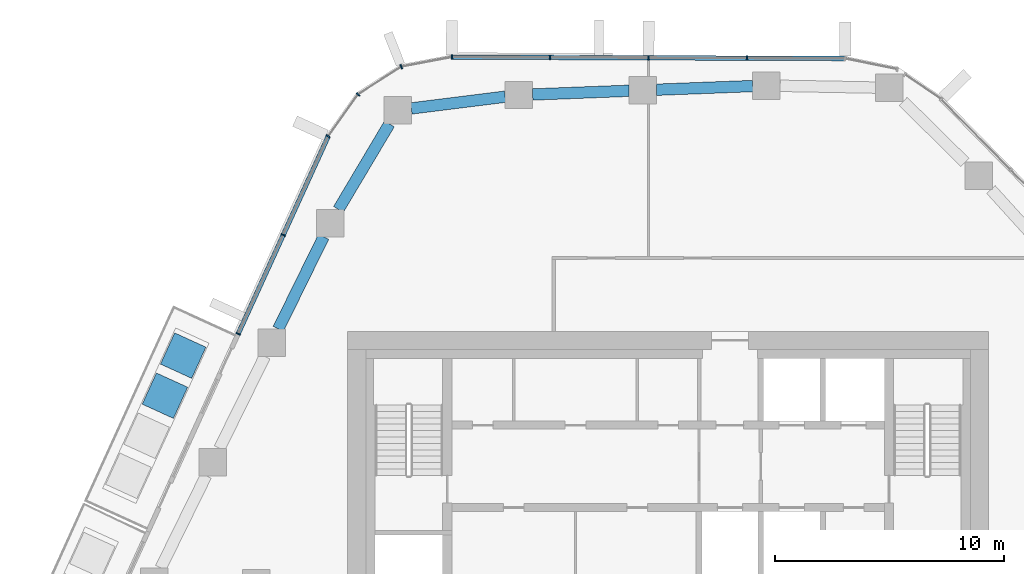
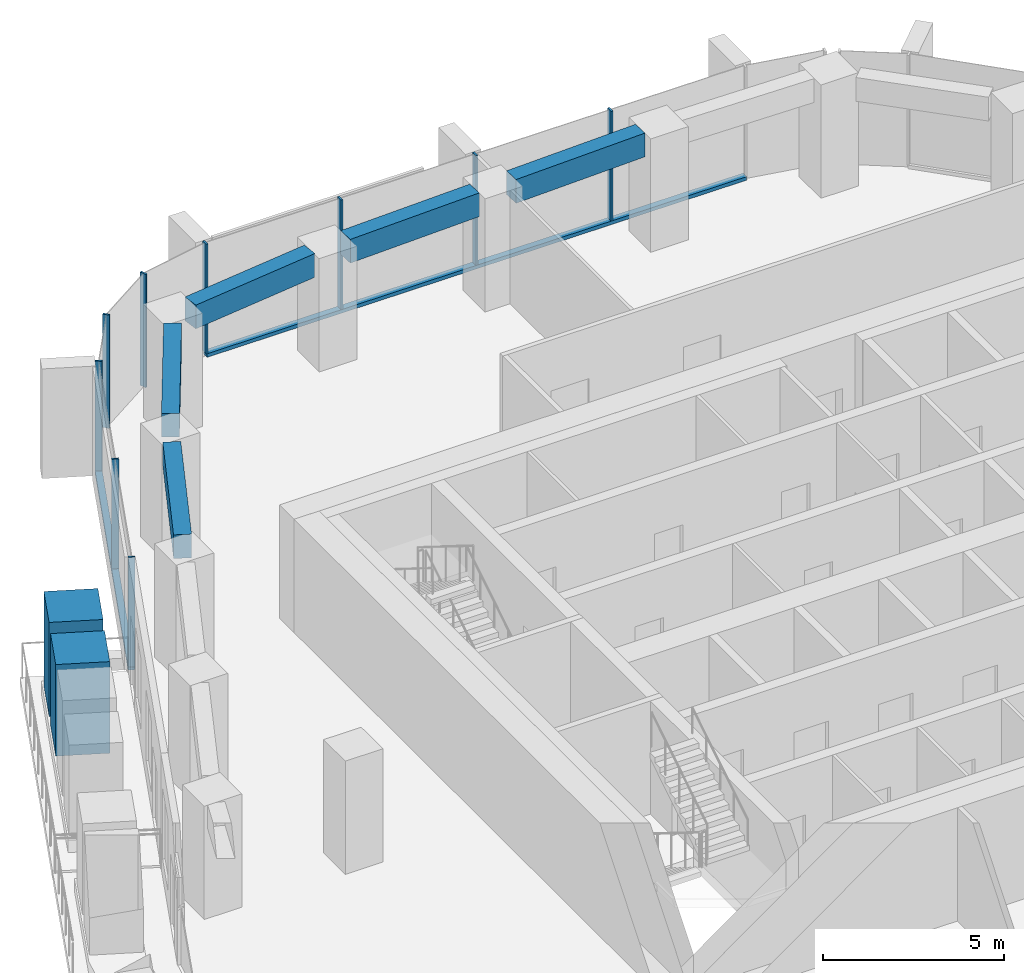
# One storey, part 5 of 18: 13 members, 5 beams, 3 elements without a shape of their own.
"""IFC4 building model written with IfcOpenShell, lengths in metres."""

from ifc_helpers import new_model, si_unit, direction, frame, origin, origin_2d, place, context, subcontext, project, spatial, rectangle, extrude, material, layer, layer_set, material_profile, profile_set, type_object, element, aggregate, save


model = new_model("IFC4")

# Units and contexts
model_context = context("Model", 3, precision=1e-05, world=origin(), true_north=direction((0.0, 1.0)))
body_context = subcontext(model_context, "Body", "Model", "MODEL_VIEW")
ifc_project = project(units=[si_unit("LENGTHUNIT", "METRE"), si_unit("AREAUNIT", "SQUARE_METRE"), si_unit("VOLUMEUNIT", "CUBIC_METRE"), si_unit("PLANEANGLEUNIT", "RADIAN"), si_unit("MASSUNIT", "GRAM", prefix="KILO")], contexts=[model_context])

# Site, building, storey
site_placement = place(None, origin())
site = spatial("IfcSite", under=ifc_project, at=site_placement, CompositionType="ELEMENT")
building_placement = place(site_placement, origin())
building = spatial("IfcBuilding", under=site, at=building_placement, Name="Dongbaek Canopy Tower", CompositionType="ELEMENT")
storey_placement = place(building_placement, frame((0.0, 0.0, 203.0)))
storey = spatial("IfcBuildingStorey", under=building, at=storey_placement, Name="L42", CompositionType="ELEMENT", Elevation=203.0)

# Curtain wall, members
ifc_material_1 = material(Name="Aluminium 6063-T6 pale anodised", Category="aluminium")
ifc_layer = layer(ifc_material_1, 0.199951171875)
ifc_layer_set = layer_set([ifc_layer], Name="CW-1 unitised tower curtain wall")
curtain_wall_type = type_object("IfcCurtainWallType", Name="CW-1 unitised tower curtain wall", PredefinedType="NOTDEFINED", material=ifc_layer_set)
curtain_wall_1_placement = place(storey_placement, origin())
curtain_wall_1 = element("IfcCurtainWall", 1, at=curtain_wall_1_placement, inside=storey, type_object=curtain_wall_type, Name="CW-1 curtain wall F1.1", PredefinedType="NOTDEFINED")
ifc_material_2 = material(Name="Aluminium 6063-T6 pale anodised", Category="aluminium")
ifc_material_profile_1 = material_profile(ifc_material_2, rectangle(XDim=0.199951171875, YDim=0.06005859375, at=origin_2d()), Name="CW-1 mullion 60 x 200")
ifc_profile_set_1 = profile_set([ifc_material_profile_1], Name="Aluminium 6063-T6 pale anodised")
member_type_1 = type_object("IfcMemberType", Name="CW-1 mullion 60 x 200", PredefinedType="MULLION", material=ifc_profile_set_1)
member_1_placement = place(storey_placement, frame((3.4384765625, 22.9326171875, 0.1201171875), z_axis=(0.0, 0.0, 1.0), x_axis=(0.003675442583, 0.999993245538, 0.0)))
member_1 = element("IfcMember", 2, at=member_1_placement, type_object=member_type_1, Name="CW-1 mullion F1.1.2", PredefinedType="MULLION", context=body_context, shape_type="SweptSolid", body=[
    extrude(rectangle(XDim=0.199951171875, YDim=0.06005859375, at=origin_2d()), origin(), (0.0, 0.0, 1.0), 3.699951171875),
])
member_2_placement = place(storey_placement, frame((-0.86083984375, 22.948486328125, 0.1201171875), z_axis=(0.0, 0.0, 1.0), x_axis=(0.003675442583, 0.999993245538, 0.0)))
member_2 = element("IfcMember", 3, at=member_2_placement, type_object=member_type_1, Name="CW-1 mullion F1.1.3", PredefinedType="MULLION", context=body_context, shape_type="SweptSolid", body=[
    extrude(rectangle(XDim=0.199951171875, YDim=0.06005859375, at=origin_2d()), origin(), (0.0, 0.0, 1.0), 3.699951171875),
])
member_3_placement = place(storey_placement, frame((-5.16015625, 22.96435546875, 0.1201171875), z_axis=(0.0, 0.0, 1.0), x_axis=(0.003675442583, 0.999993245538, 0.0)))
member_3 = element("IfcMember", 4, at=member_3_placement, type_object=member_type_1, Name="CW-1 mullion F1.1.4", PredefinedType="MULLION", context=body_context, shape_type="SweptSolid", body=[
    extrude(rectangle(XDim=0.199951171875, YDim=0.06005859375, at=origin_2d()), origin(), (0.0, 0.0, 1.0), 3.699951171875),
])
member_4_placement = place(storey_placement, frame((-9.44970703125, 22.97998046875, 0.1201171875), z_axis=(0.0, 0.0, 1.0), x_axis=(0.003675442583, 0.999993245538, 0.0)))
member_4 = element("IfcMember", 5, at=member_4_placement, type_object=member_type_1, Name="CW-1 mullion F1.1.5", PredefinedType="MULLION", context=body_context, shape_type="SweptSolid", body=[
    extrude(rectangle(XDim=0.199951171875, YDim=0.06005859375, at=origin_2d()), origin(), (0.0, 0.0, 1.0), 3.699951171875),
])

curtain_wall_2_placement = place(storey_placement, origin())
curtain_wall_2 = element("IfcCurtainWall", 6, at=curtain_wall_2_placement, inside=storey, type_object=curtain_wall_type, Name="CW-1 curtain wall K2.1", PredefinedType="NOTDEFINED")
member_5_placement = place(storey_placement, frame((-11.660888671875, 22.560546875, 0.0), z_axis=(0.0, 0.0, 1.0), x_axis=(-0.369611132815, 0.929186531596, 0.0)))
member_5 = element("IfcMember", 7, at=member_5_placement, type_object=member_type_1, Name="CW-1 mullion K2.1.2", PredefinedType="MULLION", context=body_context, shape_type="SweptSolid", body=[
    extrude(rectangle(XDim=0.199951171875, YDim=0.06005859375, at=origin_2d()), origin(), (0.0, 0.0, 1.0), 3.820068359375),
])
member_6_placement = place(storey_placement, frame((-13.5478515625, 21.351806640625, 0.0), z_axis=(0.0, 0.0, 1.0), x_axis=(-0.689541954214, 0.724245741015, 0.0)))
member_6 = element("IfcMember", 8, at=member_6_placement, type_object=member_type_1, Name="CW-1 mullion K2.1.3", PredefinedType="MULLION", context=body_context, shape_type="SweptSolid", body=[
    extrude(rectangle(XDim=0.199951171875, YDim=0.06005859375, at=origin_2d()), origin(), (0.0, 0.0, 1.0), 3.820068359375),
])
member_7_placement = place(storey_placement, frame((-14.853515625, 19.5185546875, 0.0), z_axis=(0.0, 0.0, 1.0), x_axis=(-0.814571085376, 0.580063743798, 0.0)))
member_7 = element("IfcMember", 9, at=member_7_placement, type_object=member_type_1, Name="CW-1 mullion K2.1.4", PredefinedType="MULLION", context=body_context, shape_type="SweptSolid", body=[
    extrude(rectangle(XDim=0.199951171875, YDim=0.06005859375, at=origin_2d()), origin(), (0.0, 0.0, 1.0), 3.820068359375),
])
aggregate(curtain_wall_2, [member_5, member_6, member_7])

curtain_wall_3_placement = place(storey_placement, origin())
curtain_wall_3 = element("IfcCurtainWall", 10, at=curtain_wall_3_placement, inside=storey, type_object=curtain_wall_type, Name="CW-1 curtain wall F2.1", PredefinedType="NOTDEFINED")
member_8_placement = place(storey_placement, frame((-16.818603515625, 15.207275390625, 0.1201171875), z_axis=(0.0, 0.0, 1.0), x_axis=(-0.909932941374, 0.414755400449, 0.0)))
member_8 = element("IfcMember", 11, at=member_8_placement, type_object=member_type_1, Name="CW-1 mullion F2.1.2", PredefinedType="MULLION", context=body_context, shape_type="SweptSolid", body=[
    extrude(rectangle(XDim=0.199951171875, YDim=0.06005859375, at=origin_2d()), origin(), (0.0, 0.0, 1.0), 3.699951171875),
])
member_9_placement = place(storey_placement, frame((-18.78759765625, 10.88720703125, 0.1201171875), z_axis=(0.0, 0.0, 1.0), x_axis=(-0.909932941374, 0.414755400449, 0.0)))
member_9 = element("IfcMember", 12, at=member_9_placement, type_object=member_type_1, Name="CW-1 mullion F2.1.3", PredefinedType="MULLION", context=body_context, shape_type="SweptSolid", body=[
    extrude(rectangle(XDim=0.199951171875, YDim=0.06005859375, at=origin_2d()), origin(), (0.0, 0.0, 1.0), 3.699951171875),
])

# Member
ifc_material_3 = material(Name="Aluminium 6063-T6 pale anodised", Category="aluminium")
ifc_material_profile_2 = material_profile(ifc_material_3, rectangle(XDim=0.199951171875, YDim=0.1201171875, at=origin_2d()), Name="CW-1 transom 120 x 200")
ifc_profile_set_2 = profile_set([ifc_material_profile_2], Name="Aluminium 6063-T6 pale anodised")
member_type_2 = type_object("IfcMemberType", Name="CW-1 transom 120 x 200", PredefinedType="USERDEFINED", material=ifc_profile_set_2)
member_10_placement = place(storey_placement, frame((7.727783203125, 22.9169921875, 0.06005859375), z_axis=(-0.99999327696, 0.003666883632, 0.0), x_axis=(-0.003666883632, -0.99999327696, 0.0)))
member_10 = element("IfcMember", 13, at=member_10_placement, type_object=member_type_2, Name="CW-1 transom F1.1.1", ObjectType="TRANSOM", PredefinedType="USERDEFINED", context=body_context, shape_type="SweptSolid", body=[
    extrude(rectangle(XDim=0.199951171875, YDim=0.1201171875, at=origin_2d()), origin(), (0.0, 0.0, 1.0), 17.177490234375),
])

aggregate(curtain_wall_1, [member_1, member_2, member_3, member_4, member_10])

member_11_placement = place(storey_placement, frame((-14.853515625, 19.5185546875, 0.06005859375), z_axis=(-0.414741278018, -0.90993937837, 0.0), x_axis=(0.90993937837, -0.414741278018, 0.0)))
member_11 = element("IfcMember", 14, at=member_11_placement, type_object=member_type_2, Name="CW-1 transom F2.1.1", ObjectType="TRANSOM", PredefinedType="USERDEFINED", context=body_context, shape_type="SweptSolid", body=[
    extrude(rectangle(XDim=0.199951171875, YDim=0.1201171875, at=origin_2d()), origin(), (0.0, 0.0, 1.0), 9.485595703125),
])

aggregate(curtain_wall_3, [member_8, member_9, member_11])

# Beams
ifc_material_4 = material(Name="Concrete C70", Category="concrete")
ifc_material_profile_3 = material_profile(ifc_material_4, rectangle(XDim=0.5, YDim=0.800048828125, at=origin_2d()), Name="RC EDGE BEAM 500x800 C70")
ifc_profile_set_3 = profile_set([ifc_material_profile_3], Name="Concrete C70")
beam_type = type_object("IfcBeamType", Name="RC EDGE BEAM 500x800 C70", PredefinedType="BEAM", material=ifc_profile_set_3)
beam_1_placement = place(storey_placement, frame((-17.032958984375, 11.10498046875, 3.419921875), z_axis=(0.441228982876, 0.89739455351, 0.0), x_axis=(-0.89739455351, 0.441228982876, 0.0)))
element("IfcBeam", 15, at=beam_1_placement, inside=storey, type_object=beam_type, Name="EDGEBEAM:L42:11", PredefinedType="BEAM", context=body_context, shape_type="SweptSolid", body=[
    extrude(rectangle(XDim=0.5, YDim=0.800048828125, at=origin_2d()), origin(), (0.0, 0.0, 1.0), 4.478515625),
])
beam_2_placement = place(storey_placement, frame((-14.40478515625, 16.323974609375, 3.419921875), z_axis=(0.51151247975, 0.859275848061, 0.0), x_axis=(-0.859275848061, 0.51151247975, 0.0)))
element("IfcBeam", 16, at=beam_2_placement, inside=storey, type_object=beam_type, Name="EDGEBEAM:L42:12", PredefinedType="BEAM", context=body_context, shape_type="SweptSolid", body=[
    extrude(rectangle(XDim=0.5, YDim=0.800048828125, at=origin_2d()), origin(), (0.0, 0.0, 1.0), 4.34912109375),
])
beam_3_placement = place(storey_placement, frame((-11.222900390625, 20.73583984375, 3.419921875), z_axis=(0.992289687294, 0.123940213368, 0.0), x_axis=(-0.123940213368, 0.992289687294, 0.0)))
element("IfcBeam", 17, at=beam_3_placement, inside=storey, type_object=beam_type, Name="EDGEBEAM:L42:13", PredefinedType="BEAM", context=body_context, shape_type="SweptSolid", body=[
    extrude(rectangle(XDim=0.5, YDim=0.800048828125, at=origin_2d()), origin(), (0.0, 0.0, 1.0), 4.1328125),
])
beam_4_placement = place(storey_placement, frame((-5.922119140625, 21.345947265625, 3.419921875), z_axis=(0.999268092878, 0.038252824158, 0.0), x_axis=(-0.038252824158, 0.999268092878, 0.0)))
element("IfcBeam", 18, at=beam_4_placement, inside=storey, type_object=beam_type, Name="EDGEBEAM:L42:14", PredefinedType="BEAM", context=body_context, shape_type="SweptSolid", body=[
    extrude(rectangle(XDim=0.5, YDim=0.800048828125, at=origin_2d()), origin(), (0.0, 0.0, 1.0), 4.21240234375),
])
beam_5_placement = place(storey_placement, frame((-0.512939453125, 21.552978515625, 3.419921875), z_axis=(0.999276508887, 0.0380323387, 0.0), x_axis=(-0.0380323387, 0.999276508887, 0.0)))
element("IfcBeam", 19, at=beam_5_placement, inside=storey, type_object=beam_type, Name="EDGEBEAM:L42:15", PredefinedType="BEAM", context=body_context, shape_type="SweptSolid", body=[
    extrude(rectangle(XDim=0.5, YDim=0.800048828125, at=origin_2d()), origin(), (0.0, 0.0, 1.0), 4.2109375),
])

# Members
ifc_material_5 = material(Name="Concrete C40/50 planter mass with planting", Category="concrete")
ifc_material_profile_4 = material_profile(ifc_material_5, rectangle(XDim=1.5, YDim=1.5, at=origin_2d()), Name="Terrace PLANTER shrub mass 1500 x 1500")
ifc_profile_set_4 = profile_set([ifc_material_profile_4], Name="Concrete C40/50 planter mass with planting")
member_type_3 = type_object("IfcMemberType", Name="Terrace PLANTER shrub mass 1500 x 1500", PredefinedType="USERDEFINED", material=ifc_profile_set_4)
member_12_placement = place(storey_placement, frame((-21.188720703125, 9.935546875, 0.419921875), z_axis=(0.0, 0.0, 1.0), x_axis=(-0.909932941374, 0.414755400449, 0.0)))
element("IfcMember", 20, at=member_12_placement, inside=storey, type_object=member_type_3, Name="Planter shrubs L42 1.1", ObjectType="PLANTER", PredefinedType="USERDEFINED", context=body_context, shape_type="SweptSolid", body=[
    extrude(rectangle(XDim=1.5, YDim=1.5, at=origin_2d()), origin(), (0.0, 0.0, 1.0), 3.170166015625),
])
member_13_placement = place(storey_placement, frame((-21.986572265625, 8.18505859375, 0.419921875), z_axis=(0.0, 0.0, 1.0), x_axis=(-0.909932941374, 0.414755400449, 0.0)))
element("IfcMember", 21, at=member_13_placement, inside=storey, type_object=member_type_3, Name="Planter shrubs L42 1.2", ObjectType="PLANTER", PredefinedType="USERDEFINED", context=body_context, shape_type="SweptSolid", body=[
    extrude(rectangle(XDim=1.5, YDim=1.5, at=origin_2d()), origin(), (0.0, 0.0, 1.0), 3.090087890625),
])

save(model, "model.ifc")
